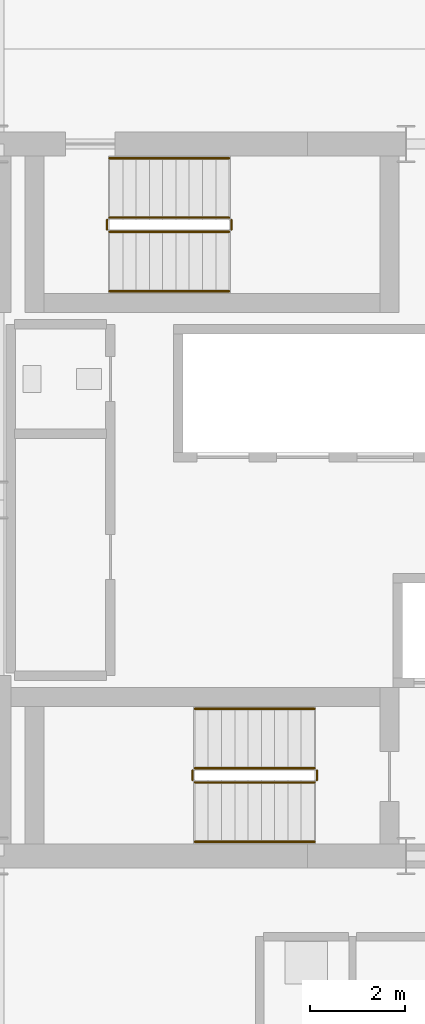
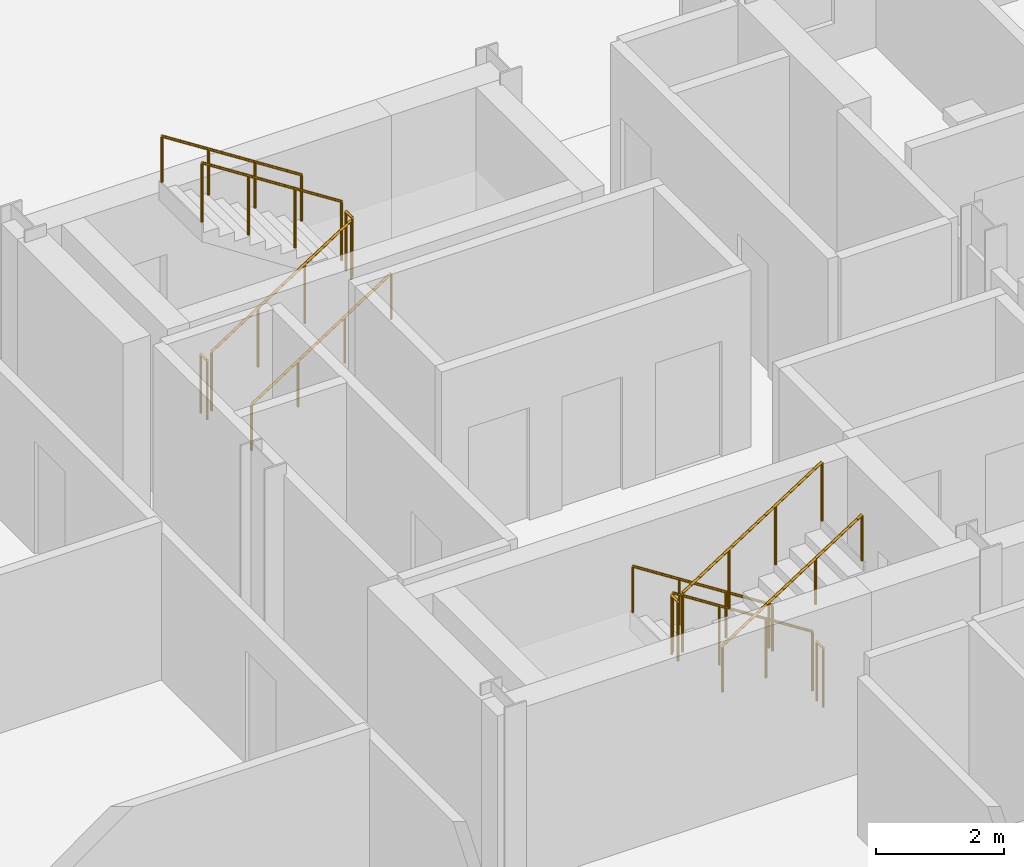
# One storey, part 19 of 21: 12 railings.
"""IFC4 building model written with IfcOpenShell, lengths in metres."""

from ifc_helpers import new_model, si_unit, direction, frame, origin, origin_2d, place, context, subcontext, project, spatial, circle, extrude, material, type_object, element, save


model = new_model("IFC4")

# Units and contexts
model_context = context("Model", 3, precision=1e-05, world=origin(), true_north=direction((0.0, 1.0)))
body_context = subcontext(model_context, "Body", "Model", "MODEL_VIEW")
ifc_project = project(units=[si_unit("LENGTHUNIT", "METRE"), si_unit("AREAUNIT", "SQUARE_METRE"), si_unit("VOLUMEUNIT", "CUBIC_METRE"), si_unit("PLANEANGLEUNIT", "RADIAN"), si_unit("MASSUNIT", "GRAM", prefix="KILO")], contexts=[model_context])

# Site, building, storey
site_placement = place(None, origin())
site = spatial("IfcSite", under=ifc_project, at=site_placement, CompositionType="ELEMENT")
building_placement = place(site_placement, origin())
building = spatial("IfcBuilding", under=site, at=building_placement, Name="Barlavira Tower and Art Museum", CompositionType="ELEMENT")
storey_placement = place(building_placement, frame((0.0, 0.0, 261.89990234375)))
storey = spatial("IfcBuildingStorey", under=building, at=storey_placement, Name="L68", CompositionType="ELEMENT", Elevation=261.89990234375)

# Railings
ifc_material = material(Name="Brushed stainless steel", Category="steel")
railing_type_1 = type_object("IfcRailingType", Name="Interior Void and Landing Guard Railing 1150", PredefinedType="GUARDRAIL", material=ifc_material)
railing_1_placement = place(storey_placement, frame((0.14990234375, -5.64990234375, 0.18017578125)))
element("IfcRailing", 1, at=railing_1_placement, inside=storey, type_object=railing_type_1, Name="L68 ST-T1 stair guard 1", PredefinedType="GUARDRAIL", context=body_context, shape_type="SweptSolid", body=[
    extrude(circle(Radius=0.02392578125, at=origin_2d()), frame((0.0, 0.0, 1.1259765625), z_axis=(-0.841199657755, 0.0, 0.540724639528), x_axis=(0.0, -1.0, 0.0)), (0.0, 0.0, 1.0), 2.995849609375),
    extrude(circle(Radius=0.02099609375, at=origin_2d()), origin(), (0.0, 0.0, 1.0), 1.101806640625),
    extrude(circle(Radius=0.02099609375, at=origin_2d()), frame((-0.840087890625, 0.0, 0.5400390625)), (0.0, 0.0, 1.0), 1.101806640625),
    extrude(circle(Radius=0.02099609375, at=origin_2d()), frame((-1.679931640625, 0.0, 1.079833984375)), (0.0, 0.0, 1.0), 1.101806640625),
    extrude(circle(Radius=0.02099609375, at=origin_2d()), frame((-2.52001953125, 0.0, 1.619873046875)), (0.0, 0.0, 1.0), 1.101806640625),
])
railing_2_placement = place(storey_placement, frame((-2.419921875, -5.699951171875, 1.800048828125)))
element("IfcRailing", 2, at=railing_2_placement, inside=storey, type_object=railing_type_1, Name="L68 ST-T1 stair guard 2", PredefinedType="GUARDRAIL", context=body_context, shape_type="SweptSolid", body=[
    extrude(circle(Radius=0.02392578125, at=origin_2d()), frame((0.0, 0.0, 1.1259765625), z_axis=(0.0, -1.0, 0.0), x_axis=(1.0, 0.0, 0.0)), (0.0, 0.0, 1.0), 0.199951171875),
    extrude(circle(Radius=0.02099609375, at=origin_2d()), origin(), (0.0, 0.0, 1.0), 1.101806640625),
    extrude(circle(Radius=0.02099609375, at=origin_2d()), frame((0.0, -0.199951171875, 0.0)), (0.0, 0.0, 1.0), 1.101806640625),
])
railing_3_placement = place(storey_placement, frame((-2.3701171875, -5.949951171875, 1.97998046875)))
element("IfcRailing", 3, at=railing_3_placement, inside=storey, type_object=railing_type_1, Name="L68 ST-T1 stair guard 3", PredefinedType="GUARDRAIL", context=body_context, shape_type="SweptSolid", body=[
    extrude(circle(Radius=0.02392578125, at=origin_2d()), frame((0.0, 0.0, 1.1259765625), z_axis=(0.841162588446, 0.0, 0.540782303519), x_axis=(0.0, 1.0, 0.0)), (0.0, 0.0, 1.0), 2.995849609375),
    extrude(circle(Radius=0.02099609375, at=origin_2d()), origin(), (0.0, 0.0, 1.0), 1.101806640625),
    extrude(circle(Radius=0.02099609375, at=origin_2d()), frame((0.840087890625, 0.0, 0.5400390625)), (0.0, 0.0, 1.0), 1.101806640625),
    extrude(circle(Radius=0.02099609375, at=origin_2d()), frame((1.679931640625, 0.0, 1.080078125)), (0.0, 0.0, 1.0), 1.101806640625),
    extrude(circle(Radius=0.02099609375, at=origin_2d()), frame((2.52001953125, 0.0, 1.6201171875)), (0.0, 0.0, 1.0), 1.101806640625),
])
railing_4_placement = place(storey_placement, frame((0.199951171875, -5.699951171875, 0.0)))
element("IfcRailing", 4, at=railing_4_placement, inside=storey, type_object=railing_type_1, Name="L68 ST-T1 stair guard 4", PredefinedType="GUARDRAIL", context=body_context, shape_type="SweptSolid", body=[
    extrude(circle(Radius=0.02392578125, at=origin_2d()), frame((0.0, 0.0, 1.1259765625), z_axis=(0.0, -1.0, 0.0), x_axis=(1.0, 0.0, 0.0)), (0.0, 0.0, 1.0), 0.199951171875),
    extrude(circle(Radius=0.02099609375, at=origin_2d()), origin(), (0.0, 0.0, 1.0), 1.101806640625),
    extrude(circle(Radius=0.02099609375, at=origin_2d()), frame((0.0, -0.199951171875, 0.0)), (0.0, 0.0, 1.0), 1.101806640625),
])
railing_5_placement = place(storey_placement, frame((-4.169921875, 5.64990234375, 0.18017578125)))
element("IfcRailing", 5, at=railing_5_placement, inside=storey, type_object=railing_type_1, Name="L68 ST-T2 stair guard 1", PredefinedType="GUARDRAIL", context=body_context, shape_type="SweptSolid", body=[
    extrude(circle(Radius=0.02392578125, at=origin_2d()), frame((0.0, 0.0, 1.1259765625), z_axis=(0.841199657755, 0.0, 0.540724639528), x_axis=(0.0, 1.0, 0.0)), (0.0, 0.0, 1.0), 2.995849609375),
    extrude(circle(Radius=0.02099609375, at=origin_2d()), origin(), (0.0, 0.0, 1.0), 1.101806640625),
    extrude(circle(Radius=0.02099609375, at=origin_2d()), frame((0.840087890625, 0.0, 0.5400390625)), (0.0, 0.0, 1.0), 1.101806640625),
    extrude(circle(Radius=0.02099609375, at=origin_2d()), frame((1.679931640625, 0.0, 1.079833984375)), (0.0, 0.0, 1.0), 1.101806640625),
    extrude(circle(Radius=0.02099609375, at=origin_2d()), frame((2.52001953125, 0.0, 1.619873046875)), (0.0, 0.0, 1.0), 1.101806640625),
])
railing_6_placement = place(storey_placement, frame((-1.60009765625, 5.699951171875, 1.800048828125)))
element("IfcRailing", 6, at=railing_6_placement, inside=storey, type_object=railing_type_1, Name="L68 ST-T2 stair guard 2", PredefinedType="GUARDRAIL", context=body_context, shape_type="SweptSolid", body=[
    extrude(circle(Radius=0.02392578125, at=origin_2d()), frame((0.0, 0.0, 1.1259765625), z_axis=(0.0, 1.0, 0.0), x_axis=(-1.0, 0.0, 0.0)), (0.0, 0.0, 1.0), 0.199951171875),
    extrude(circle(Radius=0.02099609375, at=origin_2d()), origin(), (0.0, 0.0, 1.0), 1.101806640625),
    extrude(circle(Radius=0.02099609375, at=origin_2d()), frame((0.0, 0.199951171875, 0.0)), (0.0, 0.0, 1.0), 1.101806640625),
])
railing_7_placement = place(storey_placement, frame((-1.64990234375, 5.949951171875, 1.97998046875)))
element("IfcRailing", 7, at=railing_7_placement, inside=storey, type_object=railing_type_1, Name="L68 ST-T2 stair guard 3", PredefinedType="GUARDRAIL", context=body_context, shape_type="SweptSolid", body=[
    extrude(circle(Radius=0.02392578125, at=origin_2d()), frame((0.0, 0.0, 1.1259765625), z_axis=(-0.841162588446, 0.0, 0.540782303519), x_axis=(0.0, -1.0, 0.0)), (0.0, 0.0, 1.0), 2.995849609375),
    extrude(circle(Radius=0.02099609375, at=origin_2d()), origin(), (0.0, 0.0, 1.0), 1.101806640625),
    extrude(circle(Radius=0.02099609375, at=origin_2d()), frame((-0.840087890625, 0.0, 0.5400390625)), (0.0, 0.0, 1.0), 1.101806640625),
    extrude(circle(Radius=0.02099609375, at=origin_2d()), frame((-1.679931640625, 0.0, 1.080078125)), (0.0, 0.0, 1.0), 1.101806640625),
    extrude(circle(Radius=0.02099609375, at=origin_2d()), frame((-2.52001953125, 0.0, 1.6201171875)), (0.0, 0.0, 1.0), 1.101806640625),
])
railing_8_placement = place(storey_placement, frame((-4.219970703125, 5.699951171875, 0.0)))
element("IfcRailing", 8, at=railing_8_placement, inside=storey, type_object=railing_type_1, Name="L68 ST-T2 stair guard 4", PredefinedType="GUARDRAIL", context=body_context, shape_type="SweptSolid", body=[
    extrude(circle(Radius=0.02392578125, at=origin_2d()), frame((0.0, 0.0, 1.1259765625), z_axis=(0.0, 1.0, 0.0), x_axis=(-1.0, 0.0, 0.0)), (0.0, 0.0, 1.0), 0.199951171875),
    extrude(circle(Radius=0.02099609375, at=origin_2d()), origin(), (0.0, 0.0, 1.0), 1.101806640625),
    extrude(circle(Radius=0.02099609375, at=origin_2d()), frame((0.0, 0.199951171875, 0.0)), (0.0, 0.0, 1.0), 1.101806640625),
])
railing_type_2 = type_object("IfcRailingType", Name="Stair Pitch Tubular Steel Handrail 920", PredefinedType="HANDRAIL", material=ifc_material)
railing_9_placement = place(storey_placement, frame((0.14990234375, -4.39990234375, 0.18017578125)))
element("IfcRailing", 9, at=railing_9_placement, inside=storey, type_object=railing_type_2, Name="L68 ST-T1 stair handrail 1", PredefinedType="HANDRAIL", context=body_context, shape_type="SweptSolid", body=[
    extrude(circle(Radius=0.02392578125, at=origin_2d()), frame((0.0, 0.0, 0.8759765625), z_axis=(-0.841199657755, 0.0, 0.540724639528), x_axis=(0.0, -1.0, 0.0)), (0.0, 0.0, 1.0), 2.995849609375),
    extrude(circle(Radius=0.02099609375, at=origin_2d()), origin(), (0.0, 0.0, 1.0), 0.851806640625),
    extrude(circle(Radius=0.02099609375, at=origin_2d()), frame((-0.840087890625, 0.0, 0.5400390625)), (0.0, 0.0, 1.0), 0.851806640625),
    extrude(circle(Radius=0.02099609375, at=origin_2d()), frame((-1.679931640625, 0.0, 1.079833984375)), (0.0, 0.0, 1.0), 0.851806640625),
    extrude(circle(Radius=0.02099609375, at=origin_2d()), frame((-2.52001953125, 0.0, 1.619873046875)), (0.0, 0.0, 1.0), 0.851806640625),
])
railing_10_placement = place(storey_placement, frame((-2.3701171875, -7.199951171875, 1.97998046875)))
element("IfcRailing", 10, at=railing_10_placement, inside=storey, type_object=railing_type_2, Name="L68 ST-T1 stair handrail 2", PredefinedType="HANDRAIL", context=body_context, shape_type="SweptSolid", body=[
    extrude(circle(Radius=0.02392578125, at=origin_2d()), frame((0.0, 0.0, 0.8759765625), z_axis=(0.841162588446, 0.0, 0.540782303519), x_axis=(0.0, 1.0, 0.0)), (0.0, 0.0, 1.0), 2.995849609375),
    extrude(circle(Radius=0.02099609375, at=origin_2d()), origin(), (0.0, 0.0, 1.0), 0.851806640625),
    extrude(circle(Radius=0.02099609375, at=origin_2d()), frame((0.840087890625, 0.0, 0.5400390625)), (0.0, 0.0, 1.0), 0.851806640625),
    extrude(circle(Radius=0.02099609375, at=origin_2d()), frame((1.679931640625, 0.0, 1.080078125)), (0.0, 0.0, 1.0), 0.851806640625),
    extrude(circle(Radius=0.02099609375, at=origin_2d()), frame((2.52001953125, 0.0, 1.6201171875)), (0.0, 0.0, 1.0), 0.851806640625),
])
railing_11_placement = place(storey_placement, frame((-4.169921875, 4.39990234375, 0.18017578125)))
element("IfcRailing", 11, at=railing_11_placement, inside=storey, type_object=railing_type_2, Name="L68 ST-T2 stair handrail 1", PredefinedType="HANDRAIL", context=body_context, shape_type="SweptSolid", body=[
    extrude(circle(Radius=0.02392578125, at=origin_2d()), frame((0.0, 0.0, 0.8759765625), z_axis=(0.841199657755, 0.0, 0.540724639528), x_axis=(0.0, 1.0, 0.0)), (0.0, 0.0, 1.0), 2.995849609375),
    extrude(circle(Radius=0.02099609375, at=origin_2d()), origin(), (0.0, 0.0, 1.0), 0.851806640625),
    extrude(circle(Radius=0.02099609375, at=origin_2d()), frame((0.840087890625, 0.0, 0.5400390625)), (0.0, 0.0, 1.0), 0.851806640625),
    extrude(circle(Radius=0.02099609375, at=origin_2d()), frame((1.679931640625, 0.0, 1.079833984375)), (0.0, 0.0, 1.0), 0.851806640625),
    extrude(circle(Radius=0.02099609375, at=origin_2d()), frame((2.52001953125, 0.0, 1.619873046875)), (0.0, 0.0, 1.0), 0.851806640625),
])
railing_12_placement = place(storey_placement, frame((-1.64990234375, 7.199951171875, 1.97998046875)))
element("IfcRailing", 12, at=railing_12_placement, inside=storey, type_object=railing_type_2, Name="L68 ST-T2 stair handrail 2", PredefinedType="HANDRAIL", context=body_context, shape_type="SweptSolid", body=[
    extrude(circle(Radius=0.02392578125, at=origin_2d()), frame((0.0, 0.0, 0.8759765625), z_axis=(-0.841162588446, 0.0, 0.540782303519), x_axis=(0.0, -1.0, 0.0)), (0.0, 0.0, 1.0), 2.995849609375),
    extrude(circle(Radius=0.02099609375, at=origin_2d()), origin(), (0.0, 0.0, 1.0), 0.851806640625),
    extrude(circle(Radius=0.02099609375, at=origin_2d()), frame((-0.840087890625, 0.0, 0.5400390625)), (0.0, 0.0, 1.0), 0.851806640625),
    extrude(circle(Radius=0.02099609375, at=origin_2d()), frame((-1.679931640625, 0.0, 1.080078125)), (0.0, 0.0, 1.0), 0.851806640625),
    extrude(circle(Radius=0.02099609375, at=origin_2d()), frame((-2.52001953125, 0.0, 1.6201171875)), (0.0, 0.0, 1.0), 0.851806640625),
])

save(model, "model.ifc")
